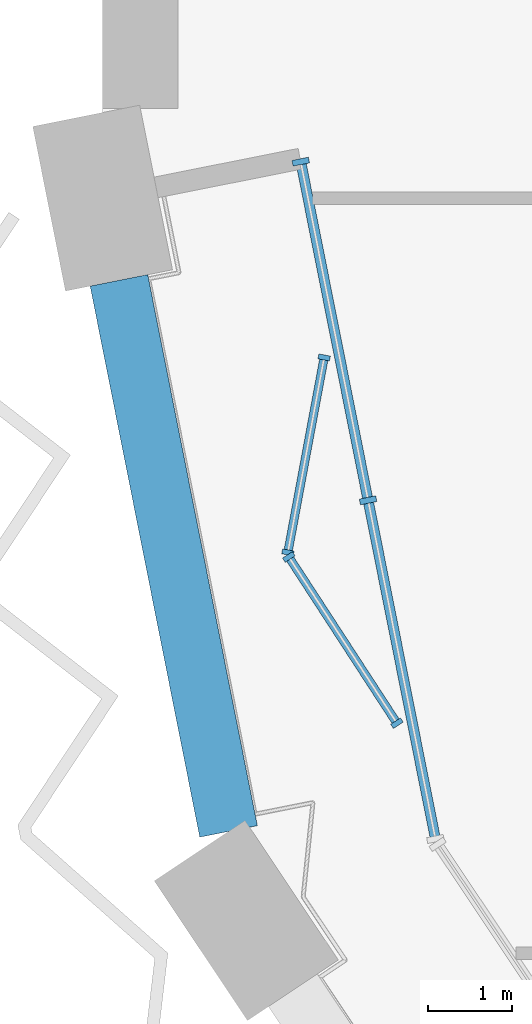
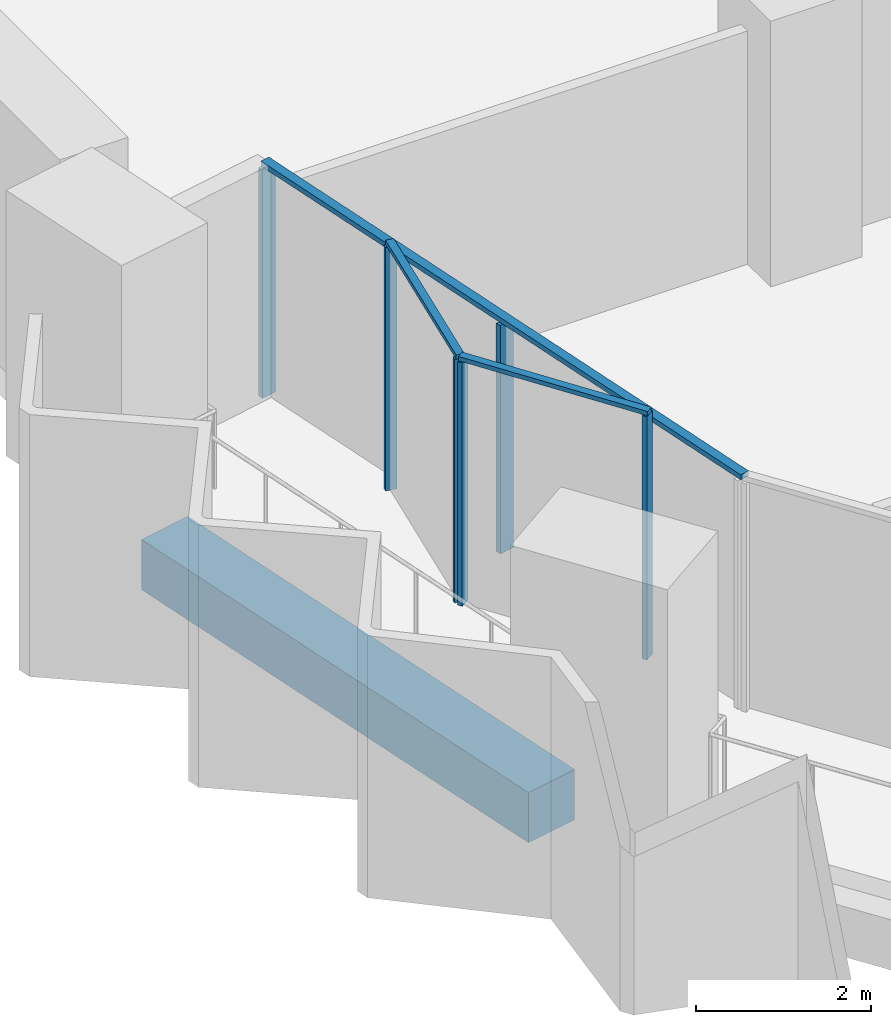
# One storey, part 3 of 22: 9 members, 1 beam, 3 elements without a shape of their own.
"""IFC4 building model written with IfcOpenShell, lengths in metres."""

from ifc_helpers import new_model, si_unit, direction, frame, origin, origin_2d, place, context, subcontext, project, spatial, rectangle, extrude, material, material_profile, profile_set, type_object, element, aggregate, save


model = new_model("IFC4")

# Units and contexts
model_context = context("Model", 3, precision=1e-05, world=origin(), true_north=direction((0.0, 1.0)))
body_context = subcontext(model_context, "Body", "Model", "MODEL_VIEW")
ifc_project = project(units=[si_unit("LENGTHUNIT", "METRE"), si_unit("AREAUNIT", "SQUARE_METRE"), si_unit("VOLUMEUNIT", "CUBIC_METRE"), si_unit("PLANEANGLEUNIT", "RADIAN"), si_unit("MASSUNIT", "GRAM", prefix="KILO")], contexts=[model_context])

# Site, building, storey
site_placement = place(None, origin())
site = spatial("IfcSite", under=ifc_project, at=site_placement, CompositionType="ELEMENT")
building_placement = place(site_placement, origin())
building = spatial("IfcBuilding", under=site, at=building_placement, Name="Hunhe Ridgeline Campus", CompositionType="ELEMENT")
storey_placement = place(building_placement, frame((0.0, 0.0, 174.5)))
storey = spatial("IfcBuildingStorey", under=building, at=storey_placement, Name="L44", CompositionType="ELEMENT", Elevation=174.5)

# Curtain wall, members
ifc_material_1 = material(Name="Aluminium 6063", Category="aluminium")
curtain_wall_type_1 = type_object("IfcCurtainWallType", Name="Curtain wall CW-2", PredefinedType="NOTDEFINED", material=ifc_material_1)
curtain_wall_1_placement = place(storey_placement, origin())
curtain_wall_1 = element("IfcCurtainWall", 1, at=curtain_wall_1_placement, inside=storey, type_object=curtain_wall_type_1, Name="Curtain wall B01a", PredefinedType="NOTDEFINED")
ifc_material_profile_1 = material_profile(ifc_material_1, rectangle(XDim=0.139892578125, YDim=0.06005859375, at=origin_2d()))
ifc_profile_set_1 = profile_set([ifc_material_profile_1], Name="Aluminium 6063")
member_type_1 = type_object("IfcMemberType", Name="CW-2 aluminium mullion", PredefinedType="MULLION", material=ifc_profile_set_1)
member_1_placement = place(storey_placement, frame((2.64111328125, 25.100341796875, 0.0), z_axis=(0.0, 0.0, 1.0), x_axis=(0.983091954213, -0.183112559813, 0.0)))
member_1 = element("IfcMember", 2, at=member_1_placement, type_object=member_type_1, Name="CW-2 mullion 1", PredefinedType="MULLION", context=body_context, shape_type="SweptSolid", body=[
    extrude(rectangle(XDim=0.139892578125, YDim=0.06005859375, at=origin_2d()), origin(), (0.0, 0.0, 1.0), 3.389892578125),
])
member_2_placement = place(storey_placement, frame((2.20849609375, 22.77685546875, 0.0), z_axis=(0.0, 0.0, 1.0), x_axis=(0.983091954213, -0.183112559813, 0.0)))
member_2 = element("IfcMember", 3, at=member_2_placement, type_object=member_type_1, Name="CW-2 mullion 2", PredefinedType="MULLION", context=body_context, shape_type="SweptSolid", body=[
    extrude(rectangle(XDim=0.139892578125, YDim=0.06005859375, at=origin_2d()), origin(), (0.0, 0.0, 1.0), 3.389892578125),
])

curtain_wall_2_placement = place(storey_placement, origin())
curtain_wall_2 = element("IfcCurtainWall", 4, at=curtain_wall_2_placement, inside=storey, type_object=curtain_wall_type_1, Name="Curtain wall B01b", PredefinedType="NOTDEFINED")
member_3_placement = place(storey_placement, frame((2.21923828125, 22.722412109375, 0.0), z_axis=(0.0, 0.0, 1.0), x_axis=(0.838178845176, 0.545395474403, 0.0)))
member_3 = element("IfcMember", 5, at=member_3_placement, type_object=member_type_1, Name="CW-2 mullion 1", PredefinedType="MULLION", context=body_context, shape_type="SweptSolid", body=[
    extrude(rectangle(XDim=0.139892578125, YDim=0.06005859375, at=origin_2d()), origin(), (0.0, 0.0, 1.0), 3.389892578125),
])
member_4_placement = place(storey_placement, frame((3.50830078125, 20.741455078125, 0.0), z_axis=(0.0, 0.0, 1.0), x_axis=(0.838178845176, 0.545395474403, 0.0)))
member_4 = element("IfcMember", 6, at=member_4_placement, type_object=member_type_1, Name="CW-2 mullion 2", PredefinedType="MULLION", context=body_context, shape_type="SweptSolid", body=[
    extrude(rectangle(XDim=0.139892578125, YDim=0.06005859375, at=origin_2d()), origin(), (0.0, 0.0, 1.0), 3.389892578125),
])

# Member
ifc_material_profile_2 = material_profile(ifc_material_1, rectangle(XDim=0.10009765625, YDim=0.06005859375, at=origin_2d()))
ifc_profile_set_2 = profile_set([ifc_material_profile_2], Name="Aluminium 6063")
member_type_2 = type_object("IfcMemberType", Name="CW-2 aluminium transom", PredefinedType="USERDEFINED", material=ifc_profile_set_2)
member_5_placement = place(storey_placement, frame((2.646728515625, 25.1298828125, 3.419921875), z_axis=(-0.183157011524, -0.983083673514, 0.0), x_axis=(0.983083673514, -0.183157011524, 0.0)))
member_5 = element("IfcMember", 7, at=member_5_placement, type_object=member_type_2, Name="CW-2 transom 1", ObjectType="TRANSOM", PredefinedType="USERDEFINED", context=body_context, shape_type="SweptSolid", body=[
    extrude(rectangle(XDim=0.10009765625, YDim=0.06005859375, at=origin_2d()), origin(), (0.0, 0.0, 1.0), 2.42333984375),
])

aggregate(curtain_wall_1, [member_5, member_1, member_2])

member_6_placement = place(storey_placement, frame((2.202880859375, 22.74755859375, 3.419921875), z_axis=(0.54541319982, -0.838167311139, 0.0), x_axis=(0.838167311139, 0.54541319982, 0.0)))
member_6 = element("IfcMember", 8, at=member_6_placement, type_object=member_type_2, Name="CW-2 transom 1", ObjectType="TRANSOM", PredefinedType="USERDEFINED", context=body_context, shape_type="SweptSolid", body=[
    extrude(rectangle(XDim=0.10009765625, YDim=0.06005859375, at=origin_2d()), origin(), (0.0, 0.0, 1.0), 2.42333984375),
])

aggregate(curtain_wall_2, [member_6, member_3, member_4])

# Curtain wall, members
curtain_wall_type_2 = type_object("IfcCurtainWallType", Name="Curtain wall CW-5", PredefinedType="NOTDEFINED", material=ifc_material_1)
curtain_wall_3_placement = place(storey_placement, origin())
curtain_wall_3 = element("IfcCurtainWall", 9, at=curtain_wall_3_placement, inside=storey, type_object=curtain_wall_type_2, Name="Curtain wall 01", PredefinedType="NOTDEFINED")
ifc_material_profile_3 = material_profile(ifc_material_1, rectangle(XDim=0.199951171875, YDim=0.070068359375, at=origin_2d()))
ifc_profile_set_3 = profile_set([ifc_material_profile_3], Name="Aluminium 6063")
member_type_3 = type_object("IfcMemberType", Name="CW-5 aluminium mullion", PredefinedType="MULLION", material=ifc_profile_set_3)
member_7_placement = place(storey_placement, frame((2.361572265625, 27.434326171875, 0.0), z_axis=(0.0, 0.0, 1.0), x_axis=(0.980784280831, 0.195095347137, 0.0)))
member_7 = element("IfcMember", 10, at=member_7_placement, type_object=member_type_3, Name="CW-5 mullion 1", PredefinedType="MULLION", context=body_context, shape_type="SweptSolid", body=[
    extrude(rectangle(XDim=0.199951171875, YDim=0.070068359375, at=origin_2d()), origin(), (0.0, 0.0, 1.0), 3.179931640625),
])
member_8_placement = place(storey_placement, frame((3.16455078125, 23.3974609375, 0.0), z_axis=(0.0, 0.0, 1.0), x_axis=(0.980784280831, 0.195095347137, 0.0)))
member_8 = element("IfcMember", 11, at=member_8_placement, type_object=member_type_3, Name="CW-5 mullion 2", PredefinedType="MULLION", context=body_context, shape_type="SweptSolid", body=[
    extrude(rectangle(XDim=0.199951171875, YDim=0.070068359375, at=origin_2d()), origin(), (0.0, 0.0, 1.0), 3.179931640625),
])
ifc_material_profile_4 = material_profile(ifc_material_1, rectangle(XDim=0.1201171875, YDim=0.070068359375, at=origin_2d()))
ifc_profile_set_4 = profile_set([ifc_material_profile_4], Name="Aluminium 6063")
member_type_4 = type_object("IfcMemberType", Name="CW-5 aluminium transom", PredefinedType="USERDEFINED", material=ifc_profile_set_4)
member_9_placement = place(storey_placement, frame((2.354736328125, 27.46875, 3.215087890625), z_axis=(0.195092405068, -0.980784866056, 0.0), x_axis=(0.980784866056, 0.195092405068, 0.0)))
member_9 = element("IfcMember", 12, at=member_9_placement, type_object=member_type_4, Name="CW-5 transom 1", ObjectType="TRANSOM", PredefinedType="USERDEFINED", context=body_context, shape_type="SweptSolid", body=[
    extrude(rectangle(XDim=0.1201171875, YDim=0.070068359375, at=origin_2d()), origin(), (0.0, 0.0, 1.0), 8.3017578125),
])
aggregate(curtain_wall_3, [member_9, member_7, member_8])

# Beam
ifc_material_2 = material(Name="Concrete C60", Category="concrete")
ifc_material_profile_5 = material_profile(ifc_material_2, rectangle(XDim=0.699951171875, YDim=0.699951171875, at=origin_2d()))
ifc_profile_set_5 = profile_set([ifc_material_profile_5], Name="Concrete C60")
beam_type = type_object("IfcBeamType", Name="RC spandrel beam 700x700 Concrete C60", PredefinedType="SPANDREL", material=ifc_profile_set_5)
beam_placement = place(storey_placement, frame((0.195068359375, 26.019287109375, -0.60009765625), z_axis=(0.195078418929, -0.980787647999, 0.0), x_axis=(0.980787647999, 0.195078418929, 0.0)))
element("IfcBeam", 13, at=beam_placement, inside=storey, type_object=beam_type, Name="Spandrel beam B2-1 L44", PredefinedType="SPANDREL", context=body_context, shape_type="SweptSolid", body=[
    extrude(rectangle(XDim=0.699951171875, YDim=0.699951171875, at=origin_2d()), origin(), (0.0, 0.0, 1.0), 6.69677734375),
])

save(model, "model.ifc")
